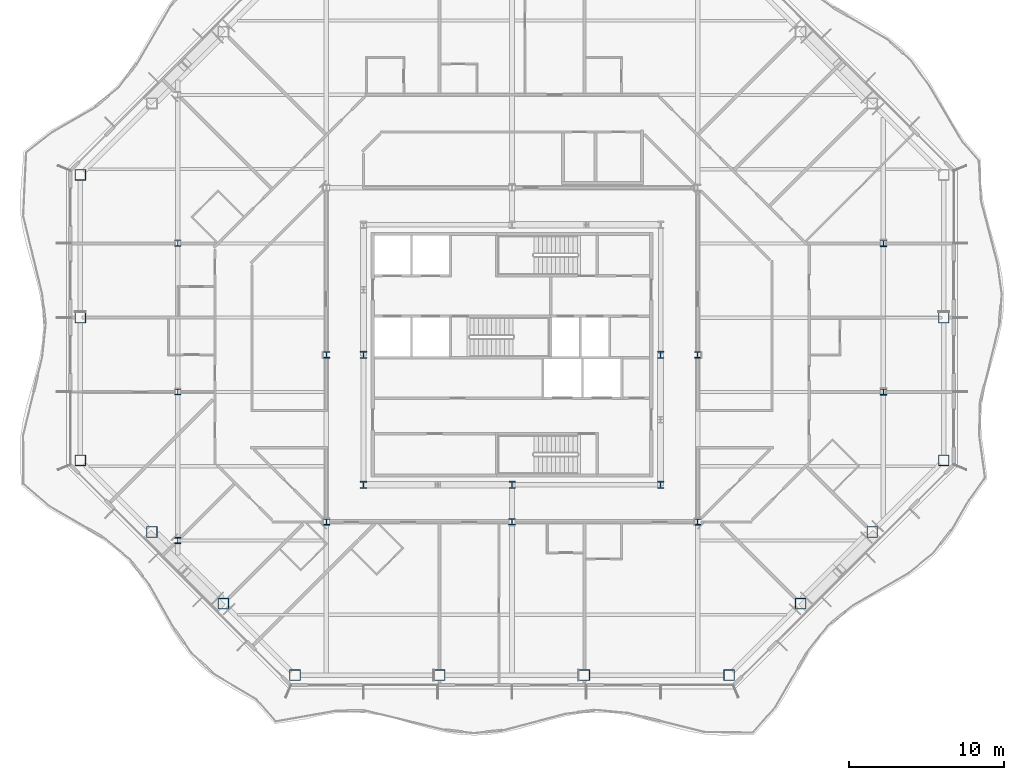
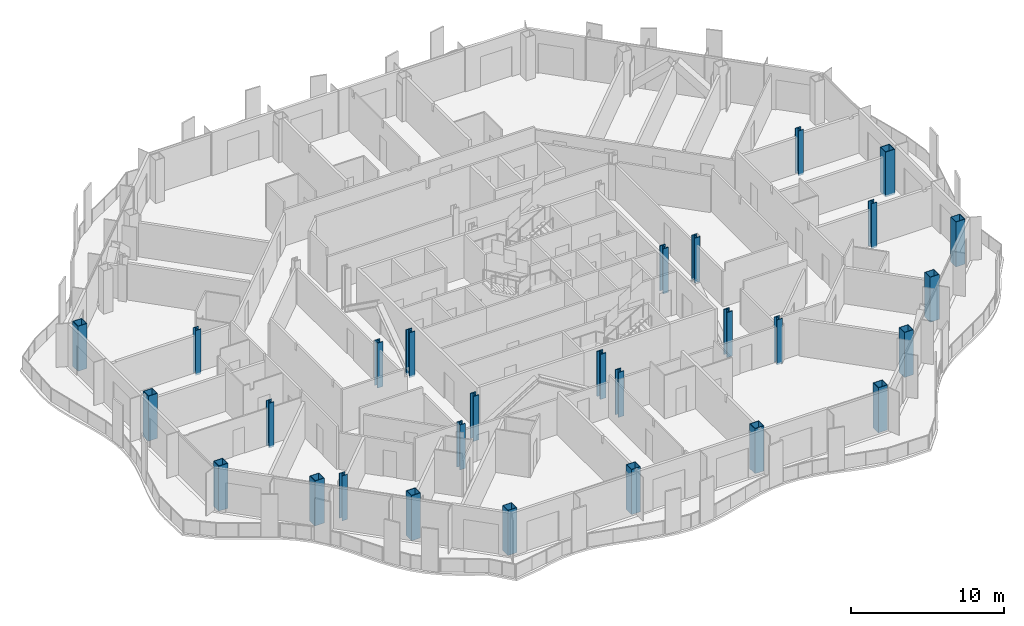
# One storey, part 1 of 22: 28 columns.
"""IFC4 building model written with IfcOpenShell, lengths in metres."""

from ifc_helpers import new_model, si_unit, direction, frame, origin, origin_2d, place, context, subcontext, project, spatial, hollow_rectangle, i_section, extrude, material, material_profile, profile_set, type_object, element, save


model = new_model("IFC4")

# Units and contexts
model_context = context("Model", 3, precision=1e-05, world=origin(), true_north=direction((0.0, 1.0)))
body_context = subcontext(model_context, "Body", "Model", "MODEL_VIEW")
ifc_project = project(units=[si_unit("LENGTHUNIT", "METRE"), si_unit("AREAUNIT", "SQUARE_METRE"), si_unit("VOLUMEUNIT", "CUBIC_METRE"), si_unit("PLANEANGLEUNIT", "RADIAN"), si_unit("MASSUNIT", "GRAM", prefix="KILO")], contexts=[model_context])

# Site, building, storey
site_placement = place(None, origin())
site = spatial("IfcSite", under=ifc_project, at=site_placement, CompositionType="ELEMENT")
building_placement = place(site_placement, origin())
building = spatial("IfcBuilding", under=site, at=building_placement, Name="Cairn Pilgrim Tower", CompositionType="ELEMENT")
storey_placement = place(building_placement, frame((0.0, 0.0, 147.0)))
storey = spatial("IfcBuildingStorey", under=building, at=storey_placement, Name="L36", CompositionType="ELEMENT", Elevation=147.0)

# Columns
ifc_material_1 = material(Name="Structural steel S460M", Category="steel")
ifc_material_profile_1 = material_profile(ifc_material_1, hollow_rectangle(XDim=0.699951171875, YDim=0.699951171875, WallThickness=0.0400390625, at=origin_2d()), Name="BOX 700x700x40")
ifc_profile_set_1 = profile_set([ifc_material_profile_1], Name="Structural steel S460M")
column_type_1 = type_object("IfcColumnType", Name="BOX 700x700x40", PredefinedType="COLUMN", material=ifc_profile_set_1)
for number, where, z_axis, x_axis, name in (
    (1, (-6.8271484375, -18.300048828125, -0.14990234375), (0.0, 0.0, 1.0), (1.0, 0.0, 0.0), "PC2-S1"),
    (2, (2.5244140625, -18.300048828125, -0.14990234375), (0.0, 0.0, 1.0), (1.0, 0.0, 0.0), "PC2-S2"),
    (3, (11.875732421875, -18.300048828125, -0.14990234375), (0.0, 0.0, 1.0), (1.0, 0.0, 0.0), "PC2-S3"),
    (4, (21.227294921875, -18.300048828125, -0.14990234375), (0.0, 0.0, 1.0), (1.0, 0.0, 0.0), "PC2-SE1"),
    (5, (25.8515625, -13.67578125, -0.14990234375), (0.0, 0.0, 1.0), (1.0, 0.0, 0.0), "PC2-SE2"),
    (6, (30.4755859375, -9.051513671875, -0.14990234375), (0.0, 0.0, 1.0), (1.0, 0.0, 0.0), "PC2-SE3"),
    (7, (35.10009765625, -4.42724609375, -0.14990234375), (0.0, 0.0, 1.0), (1.0, 0.0, 0.0), "PC2-E1"),
    (8, (35.10009765625, 4.800048828125, -0.14990234375), (0.0, 0.0, 1.0), (1.0, 0.0, 0.0), "PC2-E2"),
    (9, (-20.699951171875, 14.027099609375, -0.14990234375), (0.0, 0.0, 1.0), (1.0, 0.0, 0.0), "PC2-W1"),
    (10, (-20.699951171875, 4.800048828125, -0.14990234375), (0.0, 0.0, 1.0), (1.0, 0.0, 0.0), "PC2-W2"),
    (11, (-20.699951171875, -4.42724609375, -0.14990234375), (0.0, 0.0, 1.0), (1.0, 0.0, 0.0), "PC2-SW1"),
    (12, (-16.07568359375, -9.051513671875, -0.14990234375), (0.0, 0.0, 1.0), (1.0, 0.0, 0.0), "PC2-SW2"),
    (13, (-11.451416015625, -13.67578125, -0.14990234375), (0.0, 0.0, 1.0), (1.0, 0.0, 0.0), "PC2-SW3"),
):
    element("IfcColumn", number, at=place(storey_placement, frame(where, z_axis=z_axis, x_axis=x_axis)), inside=storey, type_object=column_type_1, Name=name, PredefinedType="COLUMN", context=body_context, shape_type="SweptSolid", body=[
        extrude(hollow_rectangle(XDim=0.699951171875, YDim=0.699951171875, WallThickness=0.0400390625, at=origin_2d()), origin(), (0.0, 0.0, 1.0), 3.599853515625),
    ])
ifc_material_2 = material(Name="Structural steel S355J2", Category="steel")
ifc_material_profile_2 = material_profile(ifc_material_2, i_section(OverallWidth=0.39892578125, OverallDepth=0.39306640625, WebThickness=0.022705078125, FlangeThickness=0.03662109375, FilletRadius=0.014892578125, at=origin_2d()), Name="HD 400x287")
ifc_profile_set_2 = profile_set([ifc_material_profile_2], Name="Structural steel S355J2")
column_type_2 = type_object("IfcColumnType", Name="HD 400x287", PredefinedType="COLUMN", material=ifc_profile_set_2)
for number, where, z_axis, x_axis, name in (
    (14, (-14.39990234375, -9.60009765625, -0.14990234375), (0.0, 0.0, 1.0), (1.0, 0.0, 0.0), "WC-WW-2"),
    (15, (-14.39990234375, 0.0, -0.14990234375), (0.0, 0.0, 1.0), (1.0, 0.0, 0.0), "WC-WW+0"),
    (16, (-14.39990234375, 9.60009765625, -0.14990234375), (0.0, 0.0, 1.0), (1.0, 0.0, 0.0), "WC-WW+2"),
):
    element("IfcColumn", number, at=place(storey_placement, frame(where, z_axis=z_axis, x_axis=x_axis)), inside=storey, type_object=column_type_2, Name=name, PredefinedType="COLUMN", context=body_context, shape_type="SweptSolid", body=[
        extrude(i_section(OverallWidth=0.39892578125, OverallDepth=0.39306640625, WebThickness=0.022705078125, FlangeThickness=0.03662109375, FilletRadius=0.014892578125, at=origin_2d()), origin(), (0.0, 0.0, 1.0), 3.599853515625),
    ])
ifc_material_profile_3 = material_profile(ifc_material_1, i_section(OverallWidth=0.408935546875, OverallDepth=0.425048828125, WebThickness=0.03271484375, FlangeThickness=0.052490234375, FilletRadius=0.014892578125, at=origin_2d()), Name="HD 400x421")
ifc_profile_set_3 = profile_set([ifc_material_profile_3], Name="Structural steel S460M")
column_type_3 = type_object("IfcColumnType", Name="HD 400x421", PredefinedType="COLUMN", material=ifc_profile_set_3)
for number, where, z_axis, x_axis, name in (
    (17, (-4.800048828125, -8.39990234375, -0.14990234375), (0.0, 0.0, 1.0), (1.0, 0.0, 0.0), "IC-1"),
    (18, (7.199951171875, -8.39990234375, -0.14990234375), (0.0, 0.0, 1.0), (1.0, 0.0, 0.0), "IC-2"),
    (19, (19.199951171875, -8.39990234375, -0.14990234375), (0.0, 0.0, 1.0), (1.0, 0.0, 0.0), "IC-3"),
    (20, (-4.800048828125, 2.39990234375, -0.14990234375), (0.0, 0.0, 1.0), (1.0, 0.0, 0.0), "IC-4"),
    (21, (19.199951171875, 2.39990234375, -0.14990234375), (0.0, 0.0, 1.0), (1.0, 0.0, 0.0), "IC-5"),
    (22, (31.199951171875, 0.0, -0.14990234375), (0.0, 0.0, 1.0), (1.0, 0.0, 0.0), "WC-WE+0"),
    (23, (31.199951171875, 9.60009765625, -0.14990234375), (0.0, 0.0, 1.0), (1.0, 0.0, 0.0), "WC-WE+2"),
):
    element("IfcColumn", number, at=place(storey_placement, frame(where, z_axis=z_axis, x_axis=x_axis)), inside=storey, type_object=column_type_3, Name=name, PredefinedType="COLUMN", context=body_context, shape_type="SweptSolid", body=[
        extrude(i_section(OverallWidth=0.408935546875, OverallDepth=0.425048828125, WebThickness=0.03271484375, FlangeThickness=0.052490234375, FilletRadius=0.014892578125, at=origin_2d()), origin(), (0.0, 0.0, 1.0), 3.599853515625),
    ])
ifc_material_profile_4 = material_profile(ifc_material_1, i_section(OverallWidth=0.424072265625, OverallDepth=0.47412109375, WebThickness=0.047607421875, FlangeThickness=0.0771484375, FilletRadius=0.014892578125, at=origin_2d()), Name="HD 400x634")
ifc_profile_set_4 = profile_set([ifc_material_profile_4], Name="Structural steel S460M")
column_type_4 = type_object("IfcColumnType", Name="HD 400x634", PredefinedType="COLUMN", material=ifc_profile_set_4)
for number, where, z_axis, x_axis, name in (
    (24, (-2.39990234375, -6.0, -0.14990234375), (0.0, 0.0, 1.0), (1.0, 0.0, 0.0), "KC-1"),
    (25, (7.199951171875, -6.0, -0.14990234375), (0.0, 0.0, 1.0), (1.0, 0.0, 0.0), "KC-2"),
    (26, (16.800048828125, -6.0, -0.14990234375), (0.0, 0.0, 1.0), (1.0, 0.0, 0.0), "KC-3"),
    (27, (-2.39990234375, 2.39990234375, -0.14990234375), (0.0, 0.0, 1.0), (1.0, 0.0, 0.0), "KC-4"),
    (28, (16.800048828125, 2.39990234375, -0.14990234375), (0.0, 0.0, 1.0), (1.0, 0.0, 0.0), "KC-5"),
):
    element("IfcColumn", number, at=place(storey_placement, frame(where, z_axis=z_axis, x_axis=x_axis)), inside=storey, type_object=column_type_4, Name=name, PredefinedType="COLUMN", context=body_context, shape_type="SweptSolid", body=[
        extrude(i_section(OverallWidth=0.424072265625, OverallDepth=0.47412109375, WebThickness=0.047607421875, FlangeThickness=0.0771484375, FilletRadius=0.014892578125, at=origin_2d()), origin(), (0.0, 0.0, 1.0), 3.599853515625),
    ])

save(model, "model.ifc")
